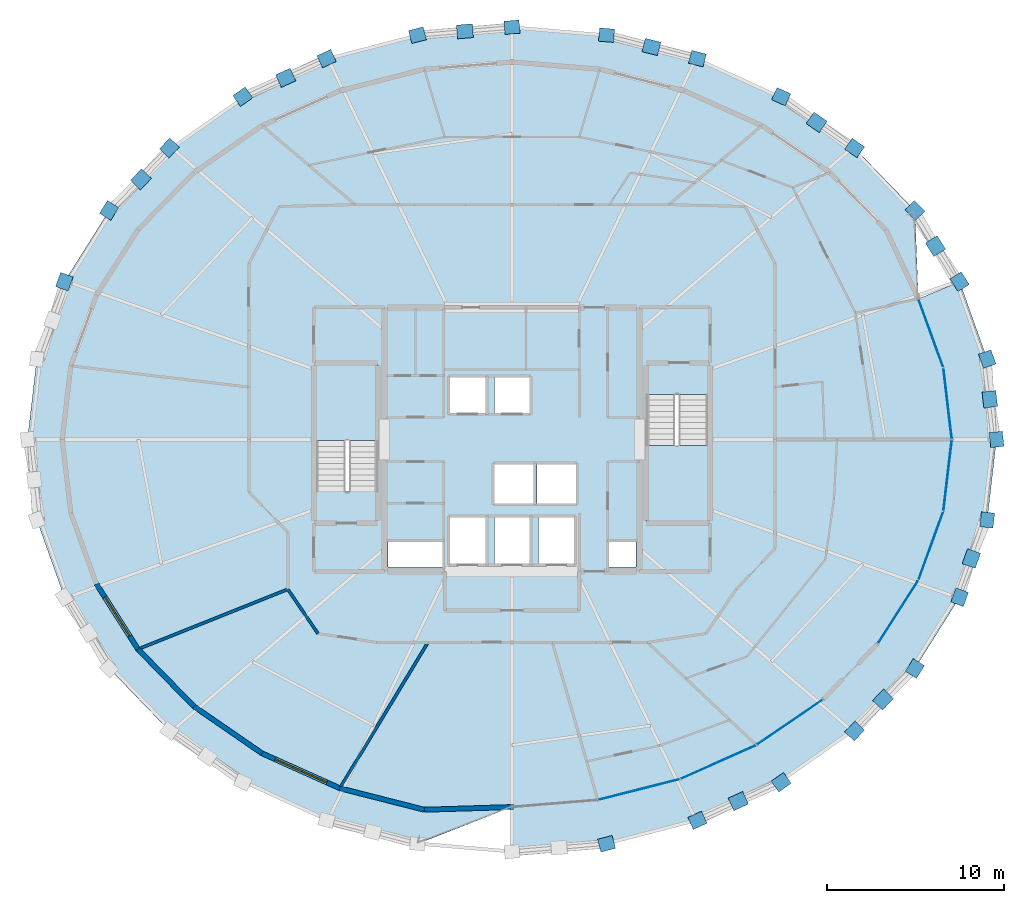
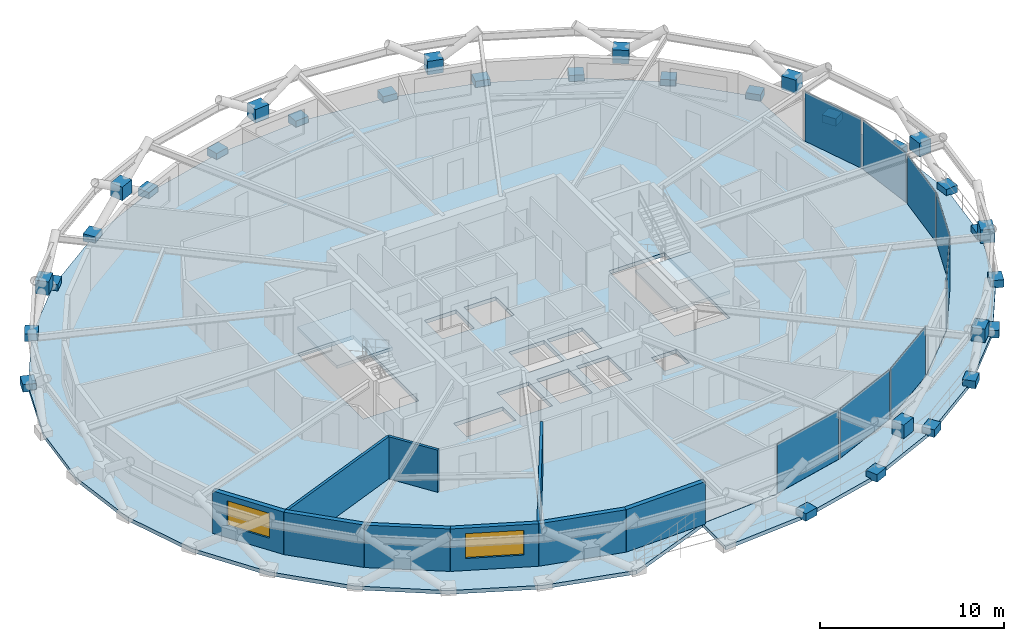
# One storey, part 11 of 16: 40 plates, 9 walls, 4 slabs, 2 windows, 2 openings, 4 elements without a shape of their own.
"""IFC4 building model written with IfcOpenShell, lengths in metres."""

from ifc_helpers import new_model, si_unit, direction, frame, frame_2d, origin, origin_2d, place, context, subcontext, project, spatial, polyline, rectangle, outline, extrude, material, layer, layer_set, type_object, element, fill, aggregate, save


model = new_model("IFC4")

# Units and contexts
model_context = context("Model", 3, precision=1e-05, world=origin(), true_north=direction((0.0, 1.0)))
body_context = subcontext(model_context, "Body", "Model", "MODEL_VIEW")
ifc_project = project(units=[si_unit("LENGTHUNIT", "METRE"), si_unit("AREAUNIT", "SQUARE_METRE"), si_unit("VOLUMEUNIT", "CUBIC_METRE"), si_unit("PLANEANGLEUNIT", "RADIAN"), si_unit("MASSUNIT", "GRAM", prefix="KILO")], contexts=[model_context])

# Site, building, storey
site_placement = place(None, origin())
site = spatial("IfcSite", under=ifc_project, at=site_placement, CompositionType="ELEMENT")
building_placement = place(site_placement, origin())
building = spatial("IfcBuilding", under=site, at=building_placement, Name="Veldorina Hangang Commons", CompositionType="ELEMENT")
storey_placement = place(building_placement, frame((0.0, 0.0, 185.60009765625)))
storey = spatial("IfcBuildingStorey", under=building, at=storey_placement, Name="L48", CompositionType="ELEMENT", Elevation=185.60009765625)

# Curtain wall, plates
ifc_material_1 = material(Name="Glass Low-E Triple IGU", Category="glass")
ifc_layer_1 = layer(ifc_material_1, 0.179931640625)
ifc_layer_set_1 = layer_set([ifc_layer_1], Name="Glass Low-E Triple IGU")
curtain_wall_type = type_object("IfcCurtainWallType", Name="CW-SYS-Z2", PredefinedType="NOTDEFINED", material=ifc_layer_set_1)
curtain_wall_1_placement = place(storey_placement, origin())
curtain_wall_1 = element("IfcCurtainWall", 1, at=curtain_wall_1_placement, inside=storey, type_object=curtain_wall_type, Name="L48 unitised curtain wall CW-L48-R1", PredefinedType="NOTDEFINED")
ifc_layer_2 = layer(ifc_material_1, 0.0400390625)
ifc_layer_set_2 = layer_set([ifc_layer_2], Name="Glass Low-E Triple IGU")
plate_type_1 = type_object("IfcPlateType", Name="CW-PNL-VIS", PredefinedType="CURTAIN_PANEL", material=ifc_layer_set_2)
plate_1_placement = place(storey_placement, frame((39.171142578125, 4.2451171875, 0.0146484375), z_axis=(0.0, 0.0, 1.0), x_axis=(0.969342510731, 0.245713444665, 0.0)))
plate_1 = element("IfcPlate", 2, at=plate_1_placement, type_object=plate_type_1, Name="CW-L48-R1 facet 2 glazed vision panel", PredefinedType="CURTAIN_PANEL", context=body_context, shape_type="SweptSolid", body=[
    extrude(rectangle(XDim=4.6240234375, YDim=0.0400390625, at=origin_2d()), origin(), (0.0, 0.0, 1.0), 3.280029296875),
])
plate_2_placement = place(storey_placement, frame((43.645263671875, 5.793701171875, 0.0146484375), z_axis=(0.0, 0.0, 1.0), x_axis=(0.913054971652, 0.407836509819, 0.0)))
plate_2 = element("IfcPlate", 3, at=plate_2_placement, type_object=plate_type_1, Name="CW-L48-R1 facet 3 glazed vision panel", PredefinedType="CURTAIN_PANEL", context=body_context, shape_type="SweptSolid", body=[
    extrude(rectangle(XDim=4.520263671875, YDim=0.0400390625, at=origin_2d()), origin(), (0.0, 0.0, 1.0), 3.280029296875),
])
plate_3_placement = place(storey_placement, frame((47.671875, 8.042236328125, 0.0146484375), z_axis=(0.0, 0.0, 1.0), x_axis=(0.824689262973, 0.565586084993, 0.0)))
plate_3 = element("IfcPlate", 4, at=plate_3_placement, type_object=plate_type_1, Name="CW-L48-R1 facet 4 glazed vision panel", PredefinedType="CURTAIN_PANEL", context=body_context, shape_type="SweptSolid", body=[
    extrude(rectangle(XDim=4.38134765625, YDim=0.0400390625, at=origin_2d()), origin(), (0.0, 0.0, 1.0), 3.280029296875),
])
aggregate(curtain_wall_1, [plate_1, plate_2, plate_3])

curtain_wall_2_placement = place(storey_placement, origin())
curtain_wall_2 = element("IfcCurtainWall", 5, at=curtain_wall_2_placement, inside=storey, type_object=curtain_wall_type, Name="L48 unitised curtain wall CW-L48-R2", PredefinedType="NOTDEFINED")
plate_4_placement = place(storey_placement, frame((53.786865234375, 14.268798828125, 0.0146484375), z_axis=(0.0, 0.0, 1.0), x_axis=(0.538829597966, 0.842414781658, 0.0)))
plate_4 = element("IfcPlate", 6, at=plate_4_placement, type_object=plate_type_1, Name="CW-L48-R2 facet 1 glazed vision panel", PredefinedType="CURTAIN_PANEL", context=body_context, shape_type="SweptSolid", body=[
    extrude(rectangle(XDim=4.0771484375, YDim=0.0400390625, at=origin_2d()), origin(), (0.0, 0.0, 1.0), 3.280029296875),
])
plate_5_placement = place(storey_placement, frame((55.64013671875, 18.00732421875, 0.0146484375), z_axis=(0.0, 0.0, 1.0), x_axis=(0.341232788347, 0.939978821121, 0.0)))
plate_5 = element("IfcPlate", 7, at=plate_5_placement, type_object=plate_type_1, Name="CW-L48-R2 facet 2 glazed vision panel", PredefinedType="CURTAIN_PANEL", context=body_context, shape_type="SweptSolid", body=[
    extrude(rectangle(XDim=3.959716796875, YDim=0.0400390625, at=origin_2d()), origin(), (0.0, 0.0, 1.0), 3.280029296875),
])
plate_6_placement = place(storey_placement, frame((56.5849609375, 21.9765625, 0.0146484375), z_axis=(0.0, 0.0, 1.0), x_axis=(0.117052078642, 0.993125777979, 0.0)))
plate_6 = element("IfcPlate", 8, at=plate_6_placement, type_object=plate_type_1, Name="CW-L48-R2 facet 3 glazed vision panel", PredefinedType="CURTAIN_PANEL", context=body_context, shape_type="SweptSolid", body=[
    extrude(rectangle(XDim=3.89501953125, YDim=0.0400390625, at=origin_2d()), origin(), (0.0, 0.0, 1.0), 3.280029296875),
])
plate_7_placement = place(storey_placement, frame((56.5849609375, 26.0234375, 0.0146484375), z_axis=(0.0, 0.0, 1.0), x_axis=(-0.117052078642, 0.993125777979, 0.0)))
plate_7 = element("IfcPlate", 9, at=plate_7_placement, type_object=plate_type_1, Name="CW-L48-R2 facet 4 glazed vision panel", PredefinedType="CURTAIN_PANEL", context=body_context, shape_type="SweptSolid", body=[
    extrude(rectangle(XDim=3.89501953125, YDim=0.0400390625, at=origin_2d()), origin(), (0.0, 0.0, 1.0), 3.280029296875),
])
plate_8_placement = place(storey_placement, frame((55.64013671875, 29.99267578125, 0.0146484375), z_axis=(0.0, 0.0, 1.0), x_axis=(-0.341232788347, 0.939978821121, 0.0)))
plate_8 = element("IfcPlate", 10, at=plate_8_placement, type_object=plate_type_1, Name="CW-L48-R2 facet 5 glazed vision panel", PredefinedType="CURTAIN_PANEL", context=body_context, shape_type="SweptSolid", body=[
    extrude(rectangle(XDim=3.959716796875, YDim=0.0400390625, at=origin_2d()), origin(), (0.0, 0.0, 1.0), 3.280029296875),
])
aggregate(curtain_wall_2, [plate_4, plate_5, plate_6, plate_7, plate_8])

# Plates
ifc_material_2 = material(Name="Steel SM460-TMC", Category="steel")
ifc_layer_3 = layer(ifc_material_2, 0.035888671875)
ifc_layer_set_3 = layer_set([ifc_layer_3], Name="Steel SM460-TMC")
plate_type_2 = type_object("IfcPlateType", Name="PL-STAR-36", PredefinedType="USERDEFINED", material=ifc_layer_set_3)
plate_9_placement = place(storey_placement, frame((59.343505859375, 24.0, -0.090087890625), z_axis=(0.0, 0.0, 1.0), x_axis=(-0.114989163212, 0.993366746144, 0.0)))
element("IfcPlate", 11, at=plate_9_placement, inside=storey, type_object=plate_type_2, Name="L48 diagrid star-node gusset plate 00", ObjectType="GUSSET PLATE", PredefinedType="USERDEFINED", context=body_context, shape_type="SweptSolid", body=[
    extrude(rectangle(XDim=0.85009765625, YDim=0.75, at=origin_2d()), origin(), (0.0, 0.0, 1.0), 0.5),
])
plate_10_placement = place(storey_placement, frame((58.963134765625, 26.268798828125, 1.3505859375), z_axis=(0.0, 0.0, 1.0), x_axis=(-0.114989163212, 0.993366746144, 0.0)))
element("IfcPlate", 12, at=plate_10_placement, inside=storey, type_object=plate_type_2, Name="L48 diagrid X-crossing star-node gusset plate 00", ObjectType="GUSSET PLATE", PredefinedType="USERDEFINED", context=body_context, shape_type="SweptSolid", body=[
    extrude(rectangle(XDim=0.89990234375, YDim=0.780029296875, at=origin_2d()), origin(), (0.0, 0.0, 1.0), 0.89990234375),
])
for number, where, z_axis, x_axis, name in (
    (13, (58.818115234375, 28.53857421875, -0.090087890625), (0.0, 0.0, 1.0), (-0.335829708811, 0.941922717998, 0.0), "L48 diagrid star-node gusset plate 01"),
    (14, (57.261962890625, 32.902587890625, -0.090087890625), (0.0, 0.0, 1.0), (-0.53197507397, 0.846760013625, 0.0), "L48 diagrid star-node gusset plate 02"),
):
    element("IfcPlate", number, at=place(storey_placement, frame(where, z_axis=z_axis, x_axis=x_axis)), inside=storey, type_object=plate_type_2, Name=name, ObjectType="GUSSET PLATE", PredefinedType="USERDEFINED", context=body_context, shape_type="SweptSolid", body=[
        extrude(rectangle(XDim=0.85009765625, YDim=0.75, at=origin_2d()), origin(), (0.0, 0.0, 1.0), 0.5),
    ])
plate_11_placement = place(storey_placement, frame((55.897216796875, 34.9130859375, 1.3525390625), z_axis=(0.0, 0.0, 1.0), x_axis=(-0.53197507397, 0.846760013625, 0.0)))
element("IfcPlate", 15, at=plate_11_placement, inside=storey, type_object=plate_type_2, Name="L48 diagrid X-crossing star-node gusset plate 02", ObjectType="GUSSET PLATE", PredefinedType="USERDEFINED", context=body_context, shape_type="SweptSolid", body=[
    extrude(rectangle(XDim=0.89990234375, YDim=0.780029296875, at=origin_2d()), origin(), (0.0, 0.0, 1.0), 0.89990234375),
])
for number, where, z_axis, x_axis, name in (
    (16, (54.735107421875, 36.924560546875, -0.090087890625), (0.0, 0.0, 1.0), (-0.694256507003, 0.719727658551, 0.0), "L48 diagrid star-node gusset plate 03"),
    (17, (51.334716796875, 40.44970703125, -0.090087890625), (0.0, 0.0, 1.0), (-0.819902152077, 0.572503677735, 0.0), "L48 diagrid star-node gusset plate 04"),
):
    element("IfcPlate", number, at=place(storey_placement, frame(where, z_axis=z_axis, x_axis=x_axis)), inside=storey, type_object=plate_type_2, Name=name, ObjectType="GUSSET PLATE", PredefinedType="USERDEFINED", context=body_context, shape_type="SweptSolid", body=[
        extrude(rectangle(XDim=0.85009765625, YDim=0.75, at=origin_2d()), origin(), (0.0, 0.0, 1.0), 0.5),
    ])
plate_12_placement = place(storey_placement, frame((49.18994140625, 41.895751953125, 1.35546875), z_axis=(0.0, 0.0, 1.0), x_axis=(-0.819902152077, 0.572503677735, 0.0)))
element("IfcPlate", 18, at=plate_12_placement, inside=storey, type_object=plate_type_2, Name="L48 diagrid X-crossing star-node gusset plate 04", ObjectType="GUSSET PLATE", PredefinedType="USERDEFINED", context=body_context, shape_type="SweptSolid", body=[
    extrude(rectangle(XDim=0.89990234375, YDim=0.780029296875, at=origin_2d()), origin(), (0.0, 0.0, 1.0), 0.89990234375),
])
for number, where, z_axis, x_axis, name in (
    (19, (47.191162109375, 43.343017578125, -0.090087890625), (0.0, 0.0, 1.0), (-0.910293914647, 0.413962545354, 0.0), "L48 diagrid star-node gusset plate 05"),
    (20, (42.4638671875, 45.492919921875, -0.090087890625), (0.0, 0.0, 1.0), (-0.968274245069, 0.249889948449, 0.0), "L48 diagrid star-node gusset plate 06"),
):
    element("IfcPlate", number, at=place(storey_placement, frame(where, z_axis=z_axis, x_axis=x_axis)), inside=storey, type_object=plate_type_2, Name=name, ObjectType="GUSSET PLATE", PredefinedType="USERDEFINED", context=body_context, shape_type="SweptSolid", body=[
        extrude(rectangle(XDim=0.85009765625, YDim=0.75, at=origin_2d()), origin(), (0.0, 0.0, 1.0), 0.5),
    ])
plate_13_placement = place(storey_placement, frame((39.864990234375, 46.151611328125, 1.357421875), z_axis=(0.0, 0.0, 1.0), x_axis=(-0.968274245069, 0.249889948449, 0.0)))
element("IfcPlate", 21, at=plate_13_placement, inside=storey, type_object=plate_type_2, Name="L48 diagrid X-crossing star-node gusset plate 06", ObjectType="GUSSET PLATE", PredefinedType="USERDEFINED", context=body_context, shape_type="SweptSolid", body=[
    extrude(rectangle(XDim=0.89990234375, YDim=0.780029296875, at=origin_2d()), origin(), (0.0, 0.0, 1.0), 0.89990234375),
])
for number, where, z_axis, x_axis, name in (
    (22, (37.33447265625, 46.816650390625, -0.090087890625), (0.0, 0.0, 1.0), (-0.996507448611, 0.083503921245, 0.0), "L48 diagrid star-node gusset plate 07"),
    (23, (32.0, 47.263671875, -0.090087890625), (0.0, 0.0, 1.0), (-0.996507448611, -0.083503921245, 0.0), "L48 diagrid star-node gusset plate 08"),
):
    element("IfcPlate", number, at=place(storey_placement, frame(where, z_axis=z_axis, x_axis=x_axis)), inside=storey, type_object=plate_type_2, Name=name, ObjectType="GUSSET PLATE", PredefinedType="USERDEFINED", context=body_context, shape_type="SweptSolid", body=[
        extrude(rectangle(XDim=0.85009765625, YDim=0.75, at=origin_2d()), origin(), (0.0, 0.0, 1.0), 0.5),
    ])
plate_14_placement = place(storey_placement, frame((29.344482421875, 47.033203125, 1.35791015625), z_axis=(0.0, 0.0, 1.0), x_axis=(-0.996507448611, -0.083503921245, 0.0)))
element("IfcPlate", 24, at=plate_14_placement, inside=storey, type_object=plate_type_2, Name="L48 diagrid X-crossing star-node gusset plate 08", ObjectType="GUSSET PLATE", PredefinedType="USERDEFINED", context=body_context, shape_type="SweptSolid", body=[
    extrude(rectangle(XDim=0.89990234375, YDim=0.780029296875, at=origin_2d()), origin(), (0.0, 0.0, 1.0), 0.89990234375),
])
for number, where, z_axis, x_axis, name in (
    (25, (26.66552734375, 46.816650390625, -0.090087890625), (0.0, 0.0, 1.0), (-0.968274245069, -0.249889948449, 0.0), "L48 diagrid star-node gusset plate 09"),
    (26, (21.5361328125, 45.492919921875, -0.090087890625), (0.0, 0.0, 1.0), (-0.910293914647, -0.413962545354, 0.0), "L48 diagrid star-node gusset plate 10"),
):
    element("IfcPlate", number, at=place(storey_placement, frame(where, z_axis=z_axis, x_axis=x_axis)), inside=storey, type_object=plate_type_2, Name=name, ObjectType="GUSSET PLATE", PredefinedType="USERDEFINED", context=body_context, shape_type="SweptSolid", body=[
        extrude(rectangle(XDim=0.85009765625, YDim=0.75, at=origin_2d()), origin(), (0.0, 0.0, 1.0), 0.5),
    ])
plate_15_placement = place(storey_placement, frame((19.23046875, 44.408935546875, 1.3564453125), z_axis=(0.0, 0.0, 1.0), x_axis=(-0.910293914647, -0.413962545354, 0.0)))
element("IfcPlate", 27, at=plate_15_placement, inside=storey, type_object=plate_type_2, Name="L48 diagrid X-crossing star-node gusset plate 10", ObjectType="GUSSET PLATE", PredefinedType="USERDEFINED", context=body_context, shape_type="SweptSolid", body=[
    extrude(rectangle(XDim=0.89990234375, YDim=0.780029296875, at=origin_2d()), origin(), (0.0, 0.0, 1.0), 0.89990234375),
])
for number, where, z_axis, x_axis, name in (
    (28, (16.808837890625, 43.343017578125, -0.090087890625), (0.0, 0.0, 1.0), (-0.819902152077, -0.572503677735, 0.0), "L48 diagrid star-node gusset plate 11"),
    (29, (12.665283203125, 40.44970703125, -0.090087890625), (0.0, 0.0, 1.0), (-0.694256507003, -0.719727658551, 0.0), "L48 diagrid star-node gusset plate 12"),
):
    element("IfcPlate", number, at=place(storey_placement, frame(where, z_axis=z_axis, x_axis=x_axis)), inside=storey, type_object=plate_type_2, Name=name, ObjectType="GUSSET PLATE", PredefinedType="USERDEFINED", context=body_context, shape_type="SweptSolid", body=[
        extrude(rectangle(XDim=0.85009765625, YDim=0.75, at=origin_2d()), origin(), (0.0, 0.0, 1.0), 0.5),
    ])
plate_16_placement = place(storey_placement, frame((11.06103515625, 38.6796875, 1.35400390625), z_axis=(0.0, 0.0, 1.0), x_axis=(-0.694256507003, -0.719727658551, 0.0)))
element("IfcPlate", 30, at=plate_16_placement, inside=storey, type_object=plate_type_2, Name="L48 diagrid X-crossing star-node gusset plate 12", ObjectType="GUSSET PLATE", PredefinedType="USERDEFINED", context=body_context, shape_type="SweptSolid", body=[
    extrude(rectangle(XDim=0.89990234375, YDim=0.780029296875, at=origin_2d()), origin(), (0.0, 0.0, 1.0), 0.89990234375),
])
for number, where, z_axis, x_axis, name in (
    (31, (9.264892578125, 36.924560546875, -0.090087890625), (0.0, 0.0, 1.0), (-0.53197507397, -0.846760013625, 0.0), "L48 diagrid star-node gusset plate 13"),
    (32, (6.738037109375, 32.902587890625, -0.090087890625), (0.0, 0.0, 1.0), (-0.335829708811, -0.941922717998, 0.0), "L48 diagrid star-node gusset plate 14"),
    (33, (37.33447265625, 1.183349609375, -0.090087890625), (0.0, 0.0, 1.0), (0.968274245069, 0.249889948449, 0.0), "L48 diagrid star-node gusset plate 25"),
    (34, (42.4638671875, 2.507080078125, -0.090087890625), (0.0, 0.0, 1.0), (0.910293914647, 0.413962545354, 0.0), "L48 diagrid star-node gusset plate 26"),
):
    element("IfcPlate", number, at=place(storey_placement, frame(where, z_axis=z_axis, x_axis=x_axis)), inside=storey, type_object=plate_type_2, Name=name, ObjectType="GUSSET PLATE", PredefinedType="USERDEFINED", context=body_context, shape_type="SweptSolid", body=[
        extrude(rectangle(XDim=0.85009765625, YDim=0.75, at=origin_2d()), origin(), (0.0, 0.0, 1.0), 0.5),
    ])
plate_17_placement = place(storey_placement, frame((44.76953125, 3.591064453125, 1.3564453125), z_axis=(0.0, 0.0, 1.0), x_axis=(0.910293914647, 0.413962545354, 0.0)))
element("IfcPlate", 35, at=plate_17_placement, inside=storey, type_object=plate_type_2, Name="L48 diagrid X-crossing star-node gusset plate 26", ObjectType="GUSSET PLATE", PredefinedType="USERDEFINED", context=body_context, shape_type="SweptSolid", body=[
    extrude(rectangle(XDim=0.89990234375, YDim=0.780029296875, at=origin_2d()), origin(), (0.0, 0.0, 1.0), 0.89990234375),
])
for number, where, z_axis, x_axis, name in (
    (36, (47.191162109375, 4.656982421875, -0.090087890625), (0.0, 0.0, 1.0), (0.819902152077, 0.572503677735, 0.0), "L48 diagrid star-node gusset plate 27"),
    (37, (51.334716796875, 7.55029296875, -0.090087890625), (0.0, 0.0, 1.0), (0.694256507003, 0.719727658551, 0.0), "L48 diagrid star-node gusset plate 28"),
):
    element("IfcPlate", number, at=place(storey_placement, frame(where, z_axis=z_axis, x_axis=x_axis)), inside=storey, type_object=plate_type_2, Name=name, ObjectType="GUSSET PLATE", PredefinedType="USERDEFINED", context=body_context, shape_type="SweptSolid", body=[
        extrude(rectangle(XDim=0.85009765625, YDim=0.75, at=origin_2d()), origin(), (0.0, 0.0, 1.0), 0.5),
    ])
plate_18_placement = place(storey_placement, frame((52.93896484375, 9.3203125, 1.35400390625), z_axis=(0.0, 0.0, 1.0), x_axis=(0.694256507003, 0.719727658551, 0.0)))
element("IfcPlate", 38, at=plate_18_placement, inside=storey, type_object=plate_type_2, Name="L48 diagrid X-crossing star-node gusset plate 28", ObjectType="GUSSET PLATE", PredefinedType="USERDEFINED", context=body_context, shape_type="SweptSolid", body=[
    extrude(rectangle(XDim=0.89990234375, YDim=0.780029296875, at=origin_2d()), origin(), (0.0, 0.0, 1.0), 0.89990234375),
])
for number, where, z_axis, x_axis, name in (
    (39, (54.735107421875, 11.075439453125, -0.090087890625), (0.0, 0.0, 1.0), (0.53197507397, 0.846760013625, 0.0), "L48 diagrid star-node gusset plate 29"),
    (40, (57.261962890625, 15.097412109375, -0.090087890625), (0.0, 0.0, 1.0), (0.335829708811, 0.941922717998, 0.0), "L48 diagrid star-node gusset plate 30"),
):
    element("IfcPlate", number, at=place(storey_placement, frame(where, z_axis=z_axis, x_axis=x_axis)), inside=storey, type_object=plate_type_2, Name=name, ObjectType="GUSSET PLATE", PredefinedType="USERDEFINED", context=body_context, shape_type="SweptSolid", body=[
        extrude(rectangle(XDim=0.85009765625, YDim=0.75, at=origin_2d()), origin(), (0.0, 0.0, 1.0), 0.5),
    ])
plate_19_placement = place(storey_placement, frame((57.923095703125, 17.2822265625, 1.351318359375), z_axis=(0.0, 0.0, 1.0), x_axis=(0.335829708811, 0.941922717998, 0.0)))
element("IfcPlate", 41, at=plate_19_placement, inside=storey, type_object=plate_type_2, Name="L48 diagrid X-crossing star-node gusset plate 30", ObjectType="GUSSET PLATE", PredefinedType="USERDEFINED", context=body_context, shape_type="SweptSolid", body=[
    extrude(rectangle(XDim=0.89990234375, YDim=0.780029296875, at=origin_2d()), origin(), (0.0, 0.0, 1.0), 0.89990234375),
])
plate_20_placement = place(storey_placement, frame((58.818115234375, 19.46142578125, -0.090087890625), z_axis=(0.0, 0.0, 1.0), x_axis=(0.114989163212, 0.993366746144, 0.0)))
element("IfcPlate", 42, at=plate_20_placement, inside=storey, type_object=plate_type_2, Name="L48 diagrid star-node gusset plate 31", ObjectType="GUSSET PLATE", PredefinedType="USERDEFINED", context=body_context, shape_type="SweptSolid", body=[
    extrude(rectangle(XDim=0.85009765625, YDim=0.75, at=origin_2d()), origin(), (0.0, 0.0, 1.0), 0.5),
])

# Slabs
ifc_material_3 = material(Name="Concrete C40/50", Category="concrete")
ifc_layer_4 = layer(ifc_material_3, 0.25)
ifc_layer_set_4 = layer_set([ifc_layer_4], Name="Concrete C40/50")
slab_type_1 = type_object("IfcSlabType", Name="SL-FLR-250", PredefinedType="FLOOR", material=ifc_layer_set_4)
slab_1_placement = place(storey_placement, frame((0.0, 0.0, -0.25)))
element("IfcSlab", 43, at=slab_1_placement, inside=storey, type_object=slab_type_1, Name="L48 tower structural floor slab", PredefinedType="FLOOR", context=body_context, shape_type="SweptSolid", body=[
    extrude(outline(polyline([(56.823486328125, 24.0), (56.346435546875, 28.046875), (54.933837890625, 31.938232421875), (54.735107421875, 36.924560546875), (51.334716796875, 40.44970703125), (47.191162109375, 43.343017578125), (42.4638671875, 45.492919921875), (37.33447265625, 46.816650390625), (32.0, 47.263671875), (26.66552734375, 46.816650390625), (21.5361328125, 45.492919921875), (16.808837890625, 43.343017578125), (12.665283203125, 40.44970703125), (9.264892578125, 36.924560546875), (6.738037109375, 32.902587890625), (5.181884765625, 28.53857421875), (4.656494140625, 24.0), (5.181884765625, 19.46142578125), (6.738037109375, 15.097412109375), (9.264892578125, 11.075439453125), (12.665283203125, 7.55029296875), (16.808837890625, 4.656982421875), (21.5361328125, 2.507080078125), (26.66552734375, 1.183349609375), (32.0, 3.25634765625), (36.8427734375, 3.655029296875), (41.49951171875, 4.83544921875), (45.791015625, 6.752197265625), (49.552734375, 9.33203125), (52.639892578125, 12.4755859375), (54.933837890625, 16.061767578125), (56.346435546875, 19.953125), (56.823486328125, 24.0)]), holes=[polyline([(20.949951171875, 21.05810546875), (20.949951171875, 28.199951171875), (24.449951171875, 28.199951171875), (24.449951171875, 21.05810546875), (20.949951171875, 21.05810546875)]), polyline([(43.050048828125, 26.5419921875), (43.050048828125, 19.39990234375), (39.550048828125, 19.39990234375), (39.550048828125, 26.5419921875), (43.050048828125, 26.5419921875)]), polyline([(28.5, 27.5), (30.5, 27.5), (30.5, 25.5), (28.5, 25.5), (28.5, 27.5)]), polyline([(31.0, 27.5), (33.0, 27.5), (33.0, 25.5), (31.0, 25.5), (31.0, 27.5)]), polyline([(31.0, 22.60009765625), (33.199951171875, 22.60009765625), (33.199951171875, 20.39990234375), (31.0, 20.39990234375), (31.0, 22.60009765625)]), polyline([(33.39990234375, 22.60009765625), (35.60009765625, 22.60009765625), (35.60009765625, 20.39990234375), (33.39990234375, 20.39990234375), (33.39990234375, 22.60009765625)]), polyline([(28.5, 19.60009765625), (30.5, 19.60009765625), (30.5, 17.0), (28.5, 17.0), (28.5, 19.60009765625)]), polyline([(31.0, 19.60009765625), (33.0, 19.60009765625), (33.0, 17.0), (31.0, 17.0), (31.0, 19.60009765625)]), polyline([(33.5, 19.60009765625), (35.5, 19.60009765625), (35.5, 17.0), (33.5, 17.0), (33.5, 19.60009765625)]), polyline([(25.0, 18.25), (28.10009765625, 18.25), (28.10009765625, 16.800048828125), (25.0, 16.800048828125), (25.0, 18.25)]), polyline([(37.449951171875, 18.25), (39.0, 18.25), (39.0, 16.800048828125), (37.449951171875, 16.800048828125), (37.449951171875, 18.25)])]), origin(), (0.0, 0.0, 1.0), 0.25),
])
slab_2_placement = place(storey_placement, frame((0.0, 0.0, -0.25)))
element("IfcSlab", 44, at=slab_2_placement, inside=storey, type_object=slab_type_1, Name="L48 sky-garden loggia outdoor slab", PredefinedType="FLOOR", context=body_context, shape_type="SweptSolid", body=[
    extrude(outline(polyline([(57.261962890625, 32.902587890625), (58.818115234375, 28.53857421875), (59.343505859375, 24.0), (58.818115234375, 19.46142578125), (57.261962890625, 15.097412109375), (54.735107421875, 11.075439453125), (51.334716796875, 7.55029296875), (47.191162109375, 4.656982421875), (42.4638671875, 2.507080078125), (37.33447265625, 1.183349609375), (32.0, 0.736328125), (32.0, 3.240234375), (32.00341796875, 3.24169921875), (36.843994140625, 3.64013671875), (36.84521484375, 3.64013671875), (36.846435546875, 3.640380859375), (41.503173828125, 4.82080078125), (41.50439453125, 4.8212890625), (41.505615234375, 4.82177734375), (45.797119140625, 6.738525390625), (45.79833984375, 6.7392578125), (45.799560546875, 6.739990234375), (49.561279296875, 9.319580078125), (49.5625, 9.320556640625), (49.5634765625, 9.321533203125), (52.650634765625, 12.465087890625), (52.651611328125, 12.46630859375), (52.652587890625, 12.46728515625), (54.9462890625, 16.0537109375), (54.947265625, 16.05517578125), (54.947998046875, 16.056640625), (56.360595703125, 19.947998046875), (56.361083984375, 19.94970703125), (56.361328125, 19.951416015625), (56.83837890625, 23.998291015625), (56.83837890625, 24.0), (56.83837890625, 24.001708984375), (56.361328125, 28.048583984375), (56.361083984375, 28.05029296875), (56.360595703125, 28.052001953125), (54.94873046875, 31.941162109375), (54.948486328125, 31.9443359375), (57.261962890625, 32.902587890625)])), origin(), (0.0, 0.0, 1.0), 0.25),
])

# Stair, slab
stair_type = type_object("IfcStairType", Name="STR-DOG-1650-20R", PredefinedType="HALF_TURN_STAIR", material=ifc_material_3)
stair_1_placement = place(storey_placement, origin())
stair_1 = element("IfcStair", 45, at=stair_1_placement, inside=storey, type_object=stair_type, Name="L48 Exit stair ST-1", PredefinedType="HALF_TURN_STAIR")
ifc_layer_5 = layer(ifc_material_3, 0.199951171875)
ifc_layer_set_5 = layer_set([ifc_layer_5], Name="Concrete C40/50")
slab_type_2 = type_object("IfcSlabType", Name="SL-LND-200", PredefinedType="LANDING", material=ifc_layer_set_5)
slab_3_placement = place(storey_placement, frame((0.0, 0.0, 1.599853515625)))
slab_3 = element("IfcSlab", 46, at=slab_3_placement, type_object=slab_type_2, Name="ST-1 landing 1", PredefinedType="LANDING", context=body_context, shape_type="SweptSolid", body=[
    extrude(outline(polyline([(24.449951171875, 23.929931640625), (24.449951171875, 28.199951171875), (20.949951171875, 28.199951171875), (20.949951171875, 23.929931640625), (24.449951171875, 23.929931640625)])), origin(), (0.0, 0.0, 1.0), 0.199951171875),
])
aggregate(stair_1, [slab_3])

stair_2_placement = place(storey_placement, origin())
stair_2 = element("IfcStair", 47, at=stair_2_placement, inside=storey, type_object=stair_type, Name="L48 Exit stair ST-2", PredefinedType="HALF_TURN_STAIR")
slab_4_placement = place(storey_placement, frame((0.0, 0.0, 1.599853515625)))
slab_4 = element("IfcSlab", 48, at=slab_4_placement, type_object=slab_type_2, Name="ST-2 landing 1", PredefinedType="LANDING", context=body_context, shape_type="SweptSolid", body=[
    extrude(outline(polyline([(39.550048828125, 23.669921875), (39.550048828125, 19.39990234375), (43.050048828125, 19.39990234375), (43.050048828125, 23.669921875), (39.550048828125, 23.669921875)])), origin(), (0.0, 0.0, 1.0), 0.199951171875),
])
aggregate(stair_2, [slab_4])

# Wall, opening, window
ifc_material_4 = material(Name="Stone Roman Travertine", Category="masonry")
ifc_layer_6 = layer(ifc_material_4, 0.280029296875)
ifc_layer_set_6 = layer_set([ifc_layer_6], Name="Stone Roman Travertine")
wall_type_1 = type_object("IfcWallType", Name="EW-TRAV-280", PredefinedType="STANDARD", material=ifc_layer_set_6)
wall_1_placement = place(storey_placement, frame((8.548828125, 15.847412109375, 0.0), z_axis=(0.0, 0.0, 1.0), x_axis=(0.537186580304, -0.843463441971, 0.0)))
wall_1 = element("IfcWall", 49, at=wall_1_placement, inside=storey, type_object=wall_type_1, Name="L48 travertine facade wall 18", PredefinedType="STANDARD", context=body_context, shape_type="SweptSolid", body=[
    extrude(rectangle(XDim=4.36669921875, YDim=0.280029296875, at=frame_2d((2.183349609375, 0.0))), origin(), (0.0, 0.0, 1.0), 2.81982421875),
])
opening_1_placement = place(wall_1_placement, frame((0.88330078125, 0.0, 0.800048828125)))
opening_1 = element("IfcOpeningElement", 50, at=opening_1_placement, cuts=wall_1, Name="Opening W-02", PredefinedType="OPENING", context=body_context, shape_type="SweptSolid", body=[
    extrude(rectangle(XDim=2.60009765625, YDim=1.64990234375, at=frame_2d((1.300048828125, 0.824951171875))), frame((0.0, 0.14990234375, 0.0), z_axis=(0.0, -1.0, 0.0), x_axis=(1.0, 0.0, 0.0)), (0.0, 0.0, 1.0), 0.300048828125),
])
window_type_1 = type_object("IfcWindowType", Name="WIN-TWR-2600", PartitioningType="SINGLE_PANEL", PredefinedType="WINDOW", material=ifc_material_1)
window_1_placement = place(opening_1_placement, origin())
window_1 = element("IfcWindow", 51, at=window_1_placement, inside=storey, type_object=window_type_1, Name="L48 facade window 18", OverallHeight=1.64990234375, OverallWidth=2.60009765625, PartitioningType="SINGLE_PANEL", PredefinedType="WINDOW", context=body_context, shape_type="SweptSolid", body=[
    extrude(rectangle(XDim=2.60009765625, YDim=1.64990234375, at=frame_2d((1.300048828125, 0.824951171875))), frame((0.0, 0.030029296875, 0.0), z_axis=(0.0, -1.0, 0.0), x_axis=(1.0, 0.0, 0.0)), (0.0, 0.0, 1.0), 0.06005859375),
])
fill(opening_1, window_1)

# Walls
wall_2_placement = place(storey_placement, frame((10.89453125, 12.164306640625, 0.0), z_axis=(0.0, 0.0, 1.0), x_axis=(0.699140974596, -0.714983844322, 0.0)))
element("IfcWall", 52, at=wall_2_placement, inside=storey, type_object=wall_type_1, Name="L48 travertine facade wall 19", PredefinedType="STANDARD", context=body_context, shape_type="SweptSolid", body=[
    extrude(rectangle(XDim=4.51513671875, YDim=0.280029296875, at=frame_2d((2.257568359375, 0.0))), origin(), (0.0, 0.0, 1.0), 2.81982421875),
])
wall_3_placement = place(storey_placement, frame((14.05126953125, 8.93603515625, 0.0), z_axis=(0.0, 0.0, 1.0), x_axis=(0.823542873284, -0.567254031157, 0.0)))
element("IfcWall", 53, at=wall_3_placement, inside=storey, type_object=wall_type_1, Name="L48 travertine facade wall 20", PredefinedType="STANDARD", context=body_context, shape_type="SweptSolid", body=[
    extrude(rectangle(XDim=4.670654296875, YDim=0.280029296875, at=frame_2d((2.33544921875, 0.0))), origin(), (0.0, 0.0, 1.0), 2.81982421875),
])

# Wall, opening, window
wall_4_placement = place(storey_placement, frame((17.897705078125, 6.28662109375, 0.0), z_axis=(0.0, 0.0, 1.0), x_axis=(0.91240998906, -0.409277426525, 0.0)))
wall_4 = element("IfcWall", 54, at=wall_4_placement, inside=storey, type_object=wall_type_1, Name="L48 travertine facade wall 21", PredefinedType="STANDARD", context=body_context, shape_type="SweptSolid", body=[
    extrude(rectangle(XDim=4.809814453125, YDim=0.280029296875, at=frame_2d((2.40478515625, 0.0))), origin(), (0.0, 0.0, 1.0), 2.81982421875),
])
opening_2_placement = place(wall_4_placement, frame((0.804931640625, 0.0, 0.800048828125)))
opening_2 = element("IfcOpeningElement", 55, at=opening_2_placement, cuts=wall_4, Name="Opening W-01", PredefinedType="OPENING", context=body_context, shape_type="SweptSolid", body=[
    extrude(rectangle(XDim=3.199951171875, YDim=1.64990234375, at=frame_2d((1.60009765625, 0.824951171875))), frame((0.0, 0.14990234375, 0.0), z_axis=(0.0, -1.0, 0.0), x_axis=(1.0, 0.0, 0.0)), (0.0, 0.0, 1.0), 0.300048828125),
])
window_type_2 = type_object("IfcWindowType", Name="WIN-TWR-3200", PartitioningType="SINGLE_PANEL", PredefinedType="WINDOW", material=ifc_material_1)
window_2_placement = place(opening_2_placement, origin())
window_2 = element("IfcWindow", 56, at=window_2_placement, inside=storey, type_object=window_type_2, Name="L48 facade window 21", OverallHeight=1.64990234375, OverallWidth=3.199951171875, PartitioningType="SINGLE_PANEL", PredefinedType="WINDOW", context=body_context, shape_type="SweptSolid", body=[
    extrude(rectangle(XDim=3.199951171875, YDim=1.64990234375, at=frame_2d((1.60009765625, 0.824951171875))), frame((0.0, 0.030029296875, 0.0), z_axis=(0.0, -1.0, 0.0), x_axis=(1.0, 0.0, 0.0)), (0.0, 0.0, 1.0), 0.06005859375),
])
fill(opening_2, window_2)

# Walls
wall_5_placement = place(storey_placement, frame((22.2861328125, 4.318115234375, 0.0), z_axis=(0.0, 0.0, 1.0), x_axis=(0.969081190832, -0.246742062842, 0.0)))
element("IfcWall", 57, at=wall_5_placement, inside=storey, type_object=wall_type_1, Name="L48 travertine facade wall 22", PredefinedType="STANDARD", context=body_context, shape_type="SweptSolid", body=[
    extrude(rectangle(XDim=4.91357421875, YDim=0.280029296875, at=frame_2d((2.456787109375, 0.0))), origin(), (0.0, 0.0, 1.0), 2.81982421875),
])
wall_6_placement = place(storey_placement, frame((27.0478515625, 3.105712890625, 0.0), z_axis=(0.0, 0.0, 1.0), x_axis=(0.999536908445, 0.030429733092, 0.0)))
element("IfcWall", 58, at=wall_6_placement, inside=storey, type_object=wall_type_1, Name="L48 travertine facade wall 23", PredefinedType="STANDARD", context=body_context, shape_type="SweptSolid", body=[
    extrude(rectangle(XDim=5.046630859375, YDim=0.280029296875, at=frame_2d((2.5234375, 0.0))), origin(), (0.0, 0.0, 1.0), 2.81982421875),
])
ifc_material_5 = material(Name="Gypsum Fire-Rated Twin Stud Wall", Category="gypsum")
ifc_layer_7 = layer(ifc_material_5, 0.159912109375)
ifc_layer_set_7 = layer_set([ifc_layer_7], Name="Gypsum Fire-Rated Twin Stud Wall")
wall_type_2 = type_object("IfcWallType", Name="WL-FIRE-160", PredefinedType="SOLIDWALL", material=ifc_layer_set_7)
wall_7_placement = place(storey_placement, frame((19.35009765625, 15.547607421875, 0.0), z_axis=(0.0, 0.0, 1.0), x_axis=(0.562674669208, -0.826678423955, 0.0)))
element("IfcWall", 59, at=wall_7_placement, inside=storey, type_object=wall_type_2, Name="L48 U-corridor outer wall 19 067", PredefinedType="SOLIDWALL", context=body_context, shape_type="SweptSolid", body=[
    extrude(rectangle(XDim=3.021240234375, YDim=0.159912109375, at=frame_2d((1.5107421875, 0.0))), origin(), (0.0, 0.0, 1.0), 2.7998046875),
])
wall_8_placement = place(storey_placement, frame((19.35009765625, 15.547607421875, 0.0), z_axis=(0.0, 0.0, 1.0), x_axis=(-0.92844508487, -0.371469681645, 0.0)))
element("IfcWall", 60, at=wall_8_placement, inside=storey, type_object=wall_type_2, Name="L48 Unit party wall 19 104", PredefinedType="SOLIDWALL", context=body_context, shape_type="SweptSolid", body=[
    extrude(rectangle(XDim=9.057373046875, YDim=0.159912109375, at=frame_2d((4.52880859375, 0.0))), origin(), (0.0, 0.0, 1.0), 2.7998046875),
])
wall_9_placement = place(storey_placement, frame((27.25732421875, 12.550048828125, 0.0), z_axis=(0.0, 0.0, 1.0), x_axis=(-0.516936849409, -0.856023535729, 0.0)))
element("IfcWall", 61, at=wall_9_placement, inside=storey, type_object=wall_type_2, Name="L48 Unit party wall 22 105", PredefinedType="SOLIDWALL", context=body_context, shape_type="SweptSolid", body=[
    extrude(rectangle(XDim=9.566650390625, YDim=0.159912109375, at=frame_2d((4.783203125, 0.0))), origin(), (0.0, 0.0, 1.0), 2.7998046875),
])

save(model, "model.ifc")
